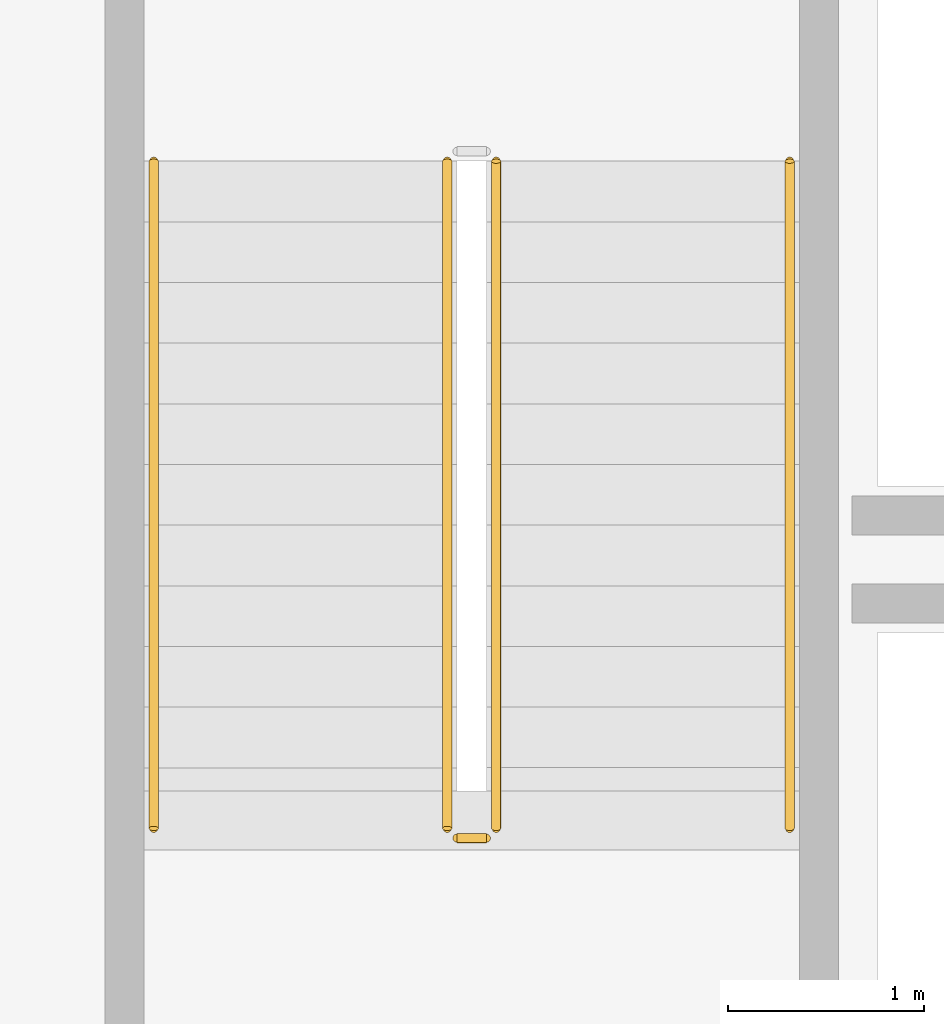
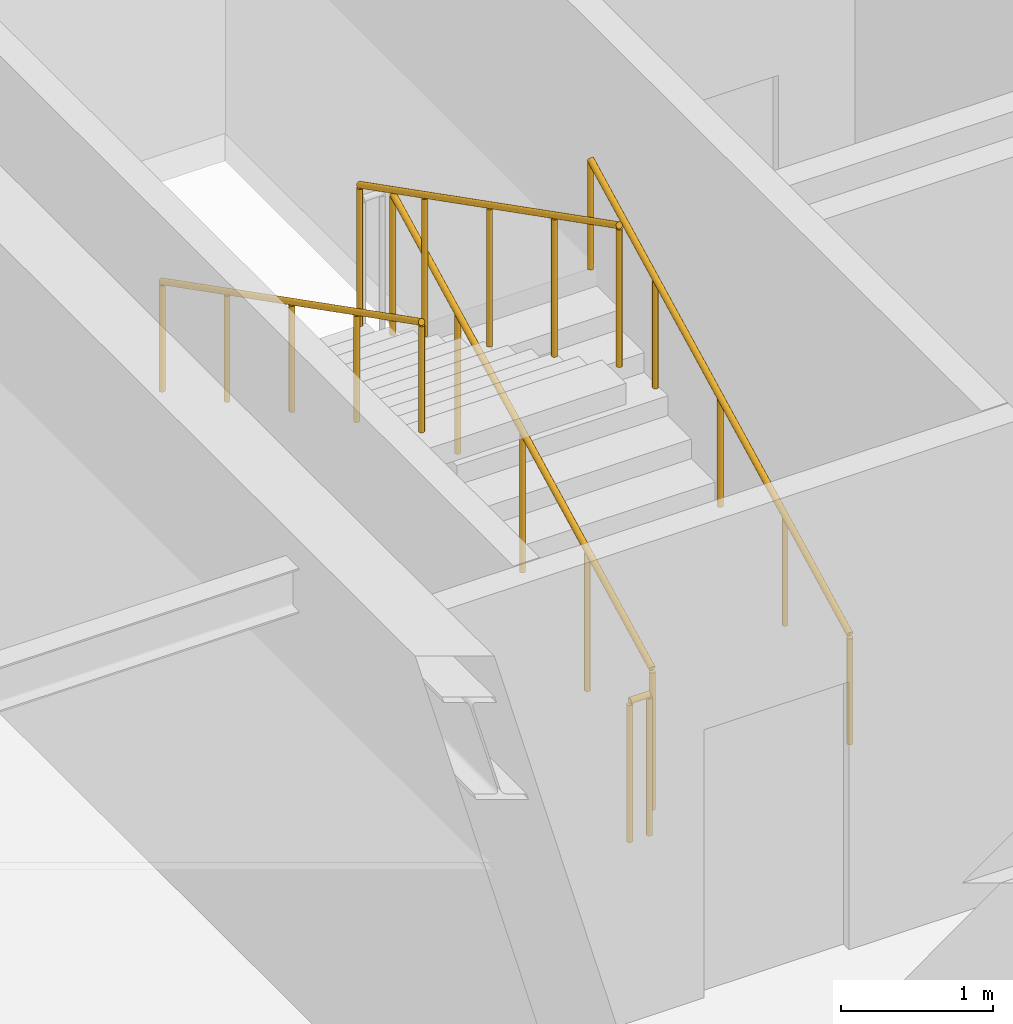
# One storey, part 15 of 20: 5 railings.
"""IFC4 building model written with IfcOpenShell, lengths in metres."""

from ifc_helpers import new_model, si_unit, direction, frame, origin, origin_2d, place, context, subcontext, project, spatial, circle, extrude, material, type_object, element, save


model = new_model("IFC4")

# Units and contexts
model_context = context("Model", 3, precision=1e-05, world=origin(), true_north=direction((0.0, 1.0)))
body_context = subcontext(model_context, "Body", "Model", "MODEL_VIEW")
ifc_project = project(units=[si_unit("LENGTHUNIT", "METRE"), si_unit("AREAUNIT", "SQUARE_METRE"), si_unit("VOLUMEUNIT", "CUBIC_METRE"), si_unit("PLANEANGLEUNIT", "RADIAN"), si_unit("MASSUNIT", "GRAM", prefix="KILO")], contexts=[model_context])

# Site, building, storey
site_placement = place(None, origin())
site = spatial("IfcSite", under=ifc_project, at=site_placement, CompositionType="ELEMENT")
building_placement = place(site_placement, origin())
building = spatial("IfcBuilding", under=site, at=building_placement, Name="Vaeldorn Concourse Tower", CompositionType="ELEMENT")
storey_placement = place(building_placement, frame((0.0, 0.0, 268.800048828125)))
storey = spatial("IfcBuildingStorey", under=building, at=storey_placement, Name="L69", CompositionType="ELEMENT", Elevation=268.800048828125)

# Railings
ifc_material = material(Name="Anodised Bronze Aluminium", Category="aluminium")
railing_type_1 = type_object("IfcRailingType", Name="RL-STAIR-GUARD", PredefinedType="GUARDRAIL", material=ifc_material)
railing_1_placement = place(storey_placement, frame((16.85009765625, 41.60009765625, 0.158203125)))
element("IfcRailing", 1, at=railing_1_placement, inside=storey, type_object=railing_type_1, Name="L69 ST-1 stair guard 1", PredefinedType="GUARDRAIL", context=body_context, shape_type="SweptSolid", body=[
    extrude(circle(Radius=0.02392578125, at=origin_2d()), frame((0.0, 0.0, 1.1259765625), z_axis=(0.0, 0.890555807335, 0.454873997962), x_axis=(-1.0, 0.0, 0.0)), (0.0, 0.0, 1.0), 3.828857421875),
    extrude(circle(Radius=0.02099609375, at=origin_2d()), origin(), (0.0, 0.0, 1.0), 1.101806640625),
    extrude(circle(Radius=0.02099609375, at=origin_2d()), frame((0.0, 0.8525390625, 0.435546875)), (0.0, 0.0, 1.0), 1.101806640625),
    extrude(circle(Radius=0.02099609375, at=origin_2d()), frame((0.0, 1.705078125, 0.870849609375)), (0.0, 0.0, 1.0), 1.101806640625),
    extrude(circle(Radius=0.02099609375, at=origin_2d()), frame((0.0, 2.557373046875, 1.30615234375)), (0.0, 0.0, 1.0), 1.101806640625),
    extrude(circle(Radius=0.02099609375, at=origin_2d()), frame((0.0, 3.409912109375, 1.74169921875)), (0.0, 0.0, 1.0), 1.101806640625),
])
railing_2_placement = place(storey_placement, frame((16.60009765625, 45.010009765625, 2.058349609375)))
element("IfcRailing", 2, at=railing_2_placement, inside=storey, type_object=railing_type_1, Name="L69 ST-1 stair guard 3", PredefinedType="GUARDRAIL", context=body_context, shape_type="SweptSolid", body=[
    extrude(circle(Radius=0.02392578125, at=origin_2d()), frame((0.0, 0.0, 1.1259765625), z_axis=(0.0, -0.890555807335, 0.454873997962), x_axis=(1.0, 0.0, 0.0)), (0.0, 0.0, 1.0), 3.828857421875),
    extrude(circle(Radius=0.02099609375, at=origin_2d()), origin(), (0.0, 0.0, 1.0), 1.101806640625),
    extrude(circle(Radius=0.02099609375, at=origin_2d()), frame((0.0, -0.8525390625, 0.435546875)), (0.0, 0.0, 1.0), 1.101806640625),
    extrude(circle(Radius=0.02099609375, at=origin_2d()), frame((0.0, -1.705078125, 0.870849609375)), (0.0, 0.0, 1.0), 1.101806640625),
    extrude(circle(Radius=0.02099609375, at=origin_2d()), frame((0.0, -2.557373046875, 1.30615234375)), (0.0, 0.0, 1.0), 1.101806640625),
    extrude(circle(Radius=0.02099609375, at=origin_2d()), frame((0.0, -3.409912109375, 1.74169921875)), (0.0, 0.0, 1.0), 1.101806640625),
])
railing_3_placement = place(storey_placement, frame((16.800048828125, 41.550048828125, 0.0)))
element("IfcRailing", 3, at=railing_3_placement, inside=storey, type_object=railing_type_1, Name="L69 ST-1 stair guard 4", PredefinedType="GUARDRAIL", context=body_context, shape_type="SweptSolid", body=[
    extrude(circle(Radius=0.02392578125, at=origin_2d()), frame((0.0, 0.0, 1.1259765625), z_axis=(-1.0, 0.0, 0.0), x_axis=(0.0, -1.0, 0.0)), (0.0, 0.0, 1.0), 0.150146484375),
    extrude(circle(Radius=0.02099609375, at=origin_2d()), origin(), (0.0, 0.0, 1.0), 1.101806640625),
    extrude(circle(Radius=0.02099609375, at=origin_2d()), frame((-0.150146484375, 0.0, 0.0)), (0.0, 0.0, 1.0), 1.101806640625),
])
railing_type_2 = type_object("IfcRailingType", Name="RL-STAIR-HANDRAIL", PredefinedType="HANDRAIL", material=ifc_material)
railing_4_placement = place(storey_placement, frame((18.35009765625, 41.60009765625, 0.158203125)))
element("IfcRailing", 4, at=railing_4_placement, inside=storey, type_object=railing_type_2, Name="L69 ST-1 stair handrail 1", PredefinedType="HANDRAIL", context=body_context, shape_type="SweptSolid", body=[
    extrude(circle(Radius=0.02392578125, at=origin_2d()), frame((0.0, 0.0, 0.8759765625), z_axis=(0.0, 0.890555807335, 0.454873997962), x_axis=(-1.0, 0.0, 0.0)), (0.0, 0.0, 1.0), 3.828857421875),
    extrude(circle(Radius=0.02099609375, at=origin_2d()), origin(), (0.0, 0.0, 1.0), 0.851806640625),
    extrude(circle(Radius=0.02099609375, at=origin_2d()), frame((0.0, 0.8525390625, 0.435546875)), (0.0, 0.0, 1.0), 0.851806640625),
    extrude(circle(Radius=0.02099609375, at=origin_2d()), frame((0.0, 1.705078125, 0.870849609375)), (0.0, 0.0, 1.0), 0.851806640625),
    extrude(circle(Radius=0.02099609375, at=origin_2d()), frame((0.0, 2.557373046875, 1.30615234375)), (0.0, 0.0, 1.0), 0.851806640625),
    extrude(circle(Radius=0.02099609375, at=origin_2d()), frame((0.0, 3.409912109375, 1.74169921875)), (0.0, 0.0, 1.0), 0.851806640625),
])
railing_5_placement = place(storey_placement, frame((15.10009765625, 45.010009765625, 2.058349609375)))
element("IfcRailing", 5, at=railing_5_placement, inside=storey, type_object=railing_type_2, Name="L69 ST-1 stair handrail 2", PredefinedType="HANDRAIL", context=body_context, shape_type="SweptSolid", body=[
    extrude(circle(Radius=0.02392578125, at=origin_2d()), frame((0.0, 0.0, 0.8759765625), z_axis=(0.0, -0.890555807335, 0.454873997962), x_axis=(1.0, 0.0, 0.0)), (0.0, 0.0, 1.0), 3.828857421875),
    extrude(circle(Radius=0.02099609375, at=origin_2d()), origin(), (0.0, 0.0, 1.0), 0.851806640625),
    extrude(circle(Radius=0.02099609375, at=origin_2d()), frame((0.0, -0.8525390625, 0.435546875)), (0.0, 0.0, 1.0), 0.851806640625),
    extrude(circle(Radius=0.02099609375, at=origin_2d()), frame((0.0, -1.705078125, 0.870849609375)), (0.0, 0.0, 1.0), 0.851806640625),
    extrude(circle(Radius=0.02099609375, at=origin_2d()), frame((0.0, -2.557373046875, 1.30615234375)), (0.0, 0.0, 1.0), 0.851806640625),
    extrude(circle(Radius=0.02099609375, at=origin_2d()), frame((0.0, -3.409912109375, 1.74169921875)), (0.0, 0.0, 1.0), 0.851806640625),
])

save(model, "model.ifc")
